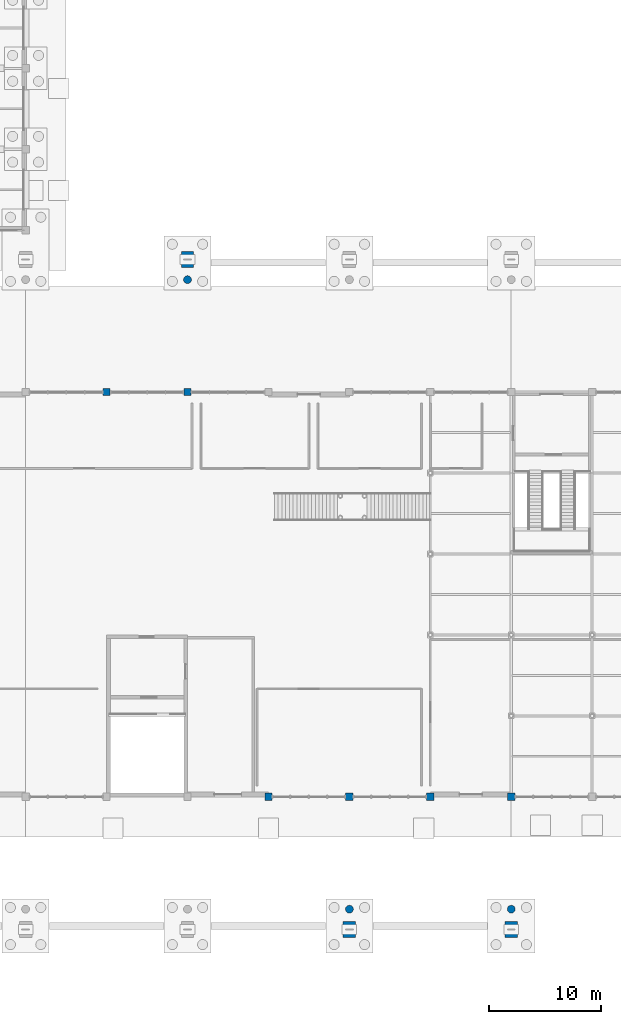
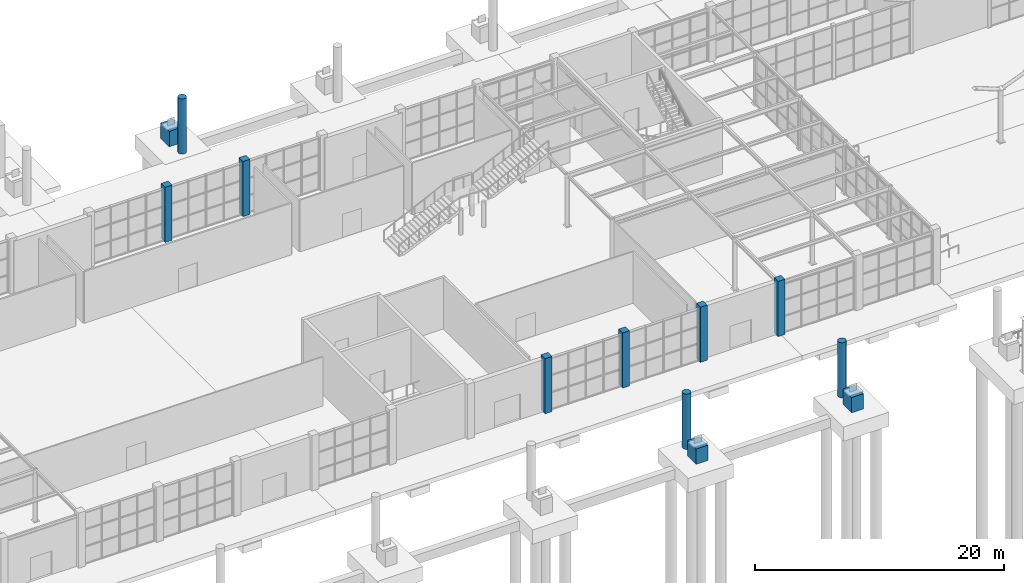
# One storey, part 9 of 75: 12 columns.
"""IFC4 building model written with IfcOpenShell, lengths in metres."""

from ifc_helpers import new_model, si_unit, direction, frame, origin, origin_2d, place, context, subcontext, project, spatial, rectangle, circle, extrude, material, material_profile, profile_set, type_object, element, save


model = new_model("IFC4")

# Units and contexts
model_context = context("Model", 3, precision=1e-05, world=origin(), true_north=direction((0.0, 1.0)))
body_context = subcontext(model_context, "Body", "Model", "MODEL_VIEW")
ifc_project = project(units=[si_unit("LENGTHUNIT", "METRE"), si_unit("AREAUNIT", "SQUARE_METRE"), si_unit("VOLUMEUNIT", "CUBIC_METRE"), si_unit("PLANEANGLEUNIT", "RADIAN"), si_unit("MASSUNIT", "GRAM", prefix="KILO")], contexts=[model_context])

# Site, building, storey
site_placement = place(None, origin())
site = spatial("IfcSite", under=ifc_project, at=site_placement, CompositionType="ELEMENT")
building_placement = place(site_placement, origin())
building = spatial("IfcBuilding", under=site, at=building_placement, Name="Leyfeld Transit Interchange", CompositionType="ELEMENT")
storey_placement = place(building_placement, origin())
storey = spatial("IfcBuildingStorey", under=building, at=storey_placement, Name="L00", CompositionType="ELEMENT", Elevation=0.0)

# Columns
ifc_material_1 = material(Name="Concrete C40/50", Category="concrete")
ifc_material_profile_1 = material_profile(ifc_material_1, rectangle(XDim=1.10009765625, YDim=1.39990234375, at=origin_2d()), Name="RC 1400x1100")
ifc_profile_set_1 = profile_set([ifc_material_profile_1], Name="Concrete C40/50")
column_type_1 = type_object("IfcColumnType", Name="COL-BUTT-1400", PredefinedType="COLUMN", material=ifc_profile_set_1)
for number, where, z_axis, x_axis, name in (
    (1, (57.60009765625, 62.199951171875, 0.0), (0.0, 0.0, 1.0), (1.0, 0.0, 0.0), "Column COL-L00-0576_0622"),
    (2, (72.0, 2.60009765625, 0.0), (0.0, 0.0, 1.0), (1.0, 0.0, 0.0), "Column COL-L00-0720_0026"),
    (3, (86.39990234375, 2.60009765625, 0.0), (0.0, 0.0, 1.0), (1.0, 0.0, 0.0), "Column COL-L00-0864_0026"),
):
    element("IfcColumn", number, at=place(storey_placement, frame(where, z_axis=z_axis, x_axis=x_axis)), inside=storey, type_object=column_type_1, Name=name, PredefinedType="COLUMN", context=body_context, shape_type="SweptSolid", body=[
        extrude(rectangle(XDim=1.10009765625, YDim=1.39990234375, at=origin_2d()), origin(), (0.0, 0.0, 1.0), 1.5),
    ])
ifc_material_2 = material(Name="Concrete C35/45", Category="concrete")
ifc_material_profile_2 = material_profile(ifc_material_2, rectangle(XDim=0.64990234375, YDim=0.64990234375, at=origin_2d()), Name="RC 650x650")
ifc_profile_set_2 = profile_set([ifc_material_profile_2], Name="Concrete C35/45")
column_type_2 = type_object("IfcColumnType", Name="COL-RC-650", PredefinedType="COLUMN", material=ifc_profile_set_2)
for number, where, z_axis, x_axis, name in (
    (4, (50.39990234375, 50.39990234375, 0.0), (0.0, 0.0, 1.0), (1.0, 0.0, 0.0), "Column COL-L00-0504_0504"),
    (5, (57.60009765625, 50.39990234375, 0.0), (0.0, 0.0, 1.0), (1.0, 0.0, 0.0), "Column COL-L00-0576_0504"),
    (6, (64.800048828125, 14.39990234375, 0.0), (0.0, 0.0, 1.0), (1.0, 0.0, 0.0), "Column COL-L00-0648_0144"),
    (7, (72.0, 14.39990234375, 0.0), (0.0, 0.0, 1.0), (1.0, 0.0, 0.0), "Column COL-L00-0720_0144"),
    (8, (79.199951171875, 14.39990234375, 0.0), (0.0, 0.0, 1.0), (1.0, 0.0, 0.0), "Column COL-L00-0792_0144"),
    (9, (86.39990234375, 14.39990234375, 0.0), (0.0, 0.0, 1.0), (1.0, 0.0, 0.0), "Column COL-L00-0864_0144"),
):
    element("IfcColumn", number, at=place(storey_placement, frame(where, z_axis=z_axis, x_axis=x_axis)), inside=storey, type_object=column_type_2, Name=name, PredefinedType="COLUMN", context=body_context, shape_type="SweptSolid", body=[
        extrude(rectangle(XDim=0.64990234375, YDim=0.64990234375, at=origin_2d()), origin(), (0.0, 0.0, 1.0), 5.39990234375),
    ])
ifc_material_profile_3 = material_profile(ifc_material_2, circle(Radius=0.35009765625, at=origin_2d()), Name="RC D700")
ifc_profile_set_3 = profile_set([ifc_material_profile_3], Name="Concrete C35/45")
column_type_3 = type_object("IfcColumnType", Name="COL-RC-D700", PredefinedType="COLUMN", material=ifc_profile_set_3)
for number, where, z_axis, x_axis, name in (
    (10, (57.60009765625, 60.39990234375, 0.0), (0.0, 0.0, 1.0), (1.0, 0.0, 0.0), "Column COL-L00-0576_0604"),
    (11, (72.0, 4.39990234375, 0.0), (0.0, 0.0, 1.0), (1.0, 0.0, 0.0), "Column COL-L00-0720_0044"),
    (12, (86.39990234375, 4.39990234375, 0.0), (0.0, 0.0, 1.0), (1.0, 0.0, 0.0), "Column COL-L00-0864_0044"),
):
    element("IfcColumn", number, at=place(storey_placement, frame(where, z_axis=z_axis, x_axis=x_axis)), inside=storey, type_object=column_type_3, Name=name, PredefinedType="COLUMN", context=body_context, shape_type="SweptSolid", body=[
        extrude(circle(Radius=0.35009765625, at=origin_2d()), origin(), (0.0, 0.0, 1.0), 5.39990234375),
    ])

save(model, "model.ifc")
